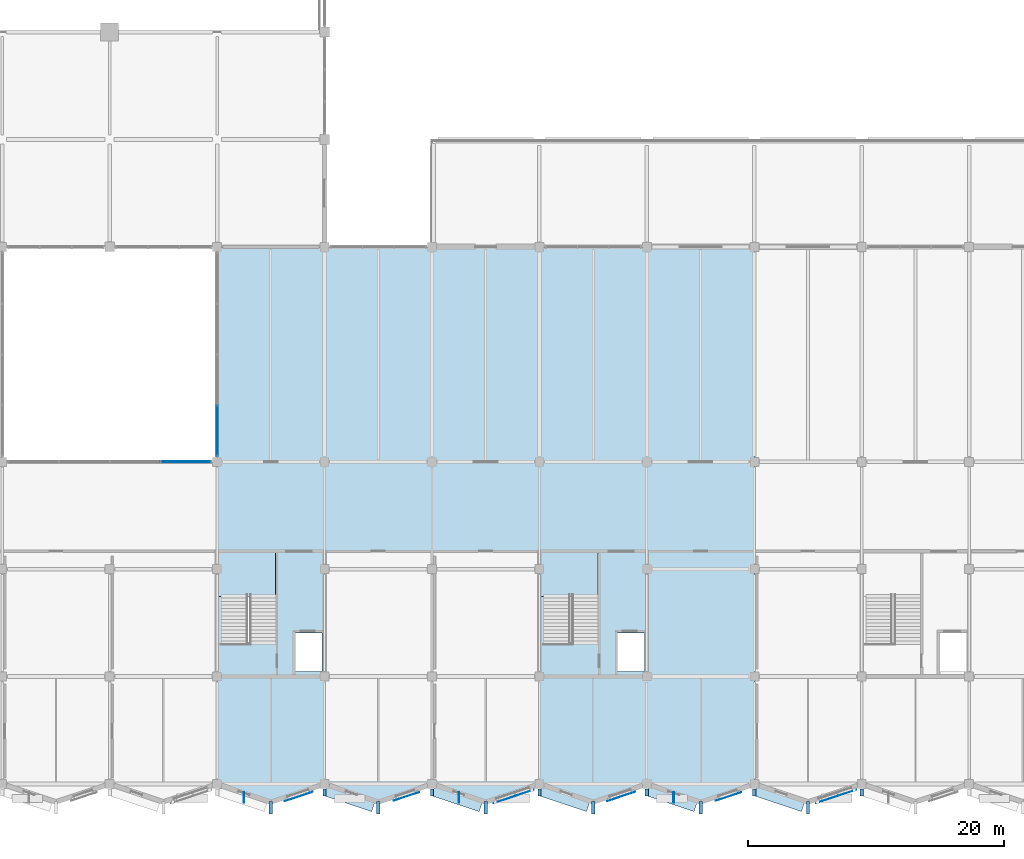
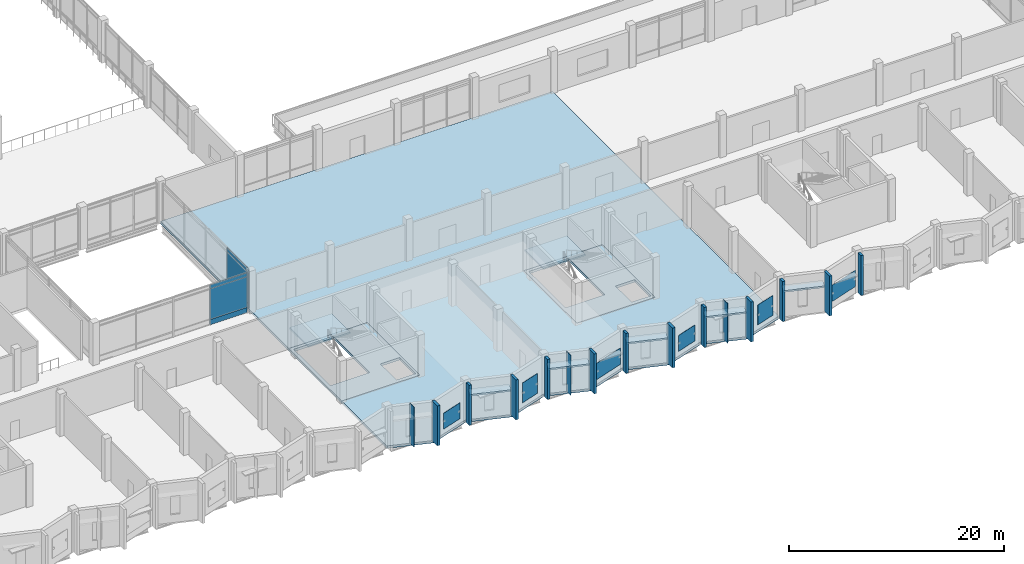
# One storey, part 71 of 110: 32 plates, 5 slabs, 4 elements without a shape of their own.
"""IFC4 building model written with IfcOpenShell, lengths in metres."""

from ifc_helpers import new_model, si_unit, direction, frame, frame_2d, origin, place, context, subcontext, project, spatial, polyline, rectangle, outline, extrude, material, layer, layer_set, type_object, element, aggregate, save


model = new_model("IFC4")

# Units and contexts
model_context = context("Model", 3, precision=1e-05, world=origin(), true_north=direction((0.0, 1.0)))
body_context = subcontext(model_context, "Body", "Model", "MODEL_VIEW")
ifc_project = project(units=[si_unit("LENGTHUNIT", "METRE"), si_unit("AREAUNIT", "SQUARE_METRE"), si_unit("VOLUMEUNIT", "CUBIC_METRE"), si_unit("PLANEANGLEUNIT", "RADIAN"), si_unit("MASSUNIT", "GRAM", prefix="KILO")], contexts=[model_context])

# Site, building, storey
site_placement = place(None, origin())
site = spatial("IfcSite", under=ifc_project, at=site_placement, CompositionType="ELEMENT")
building_placement = place(site_placement, origin())
building = spatial("IfcBuilding", under=site, at=building_placement, Name="Qawsi Khor Wholesale Market", CompositionType="ELEMENT")
storey_placement = place(building_placement, frame((0.0, 0.0, 11.39990234375)))
storey = spatial("IfcBuildingStorey", under=building, at=storey_placement, Name="L02", CompositionType="ELEMENT", Elevation=11.39990234375)

# Curtain wall, plate
ifc_material_1 = material(Name="Aluminium Anodised Bronze", Category="aluminium")
ifc_layer_1 = layer(ifc_material_1, 0.179931640625, Name="Aluminium Anodised Bronze")
ifc_layer_set_1 = layer_set([ifc_layer_1], Name="Aluminium Anodised Bronze")
curtain_wall_type = type_object("IfcCurtainWallType", Name="Atrium Full-Height Curtain Wall CW-02", PredefinedType="NOTDEFINED", material=ifc_layer_set_1)
curtain_wall_1_placement = place(storey_placement, origin())
curtain_wall_1 = element("IfcCurtainWall", 1, at=curtain_wall_1_placement, inside=storey, type_object=curtain_wall_type, Name="Curtain wall CW-CW-02-L02-021", PredefinedType="NOTDEFINED")
ifc_material_2 = material(Name="Anodised Aluminium Spandrel", Category="aluminium")
ifc_layer_2 = layer(ifc_material_2, 0.06494140625, Name="Anodised Aluminium Spandrel")
ifc_layer_set_2 = layer_set([ifc_layer_2], Name="Anodised Aluminium Spandrel")
plate_type_1 = type_object("IfcPlateType", Name="Insulated Spandrel Panel CW-02 65mm", PredefinedType="CURTAIN_PANEL", material=ifc_layer_set_2)
plate_1_placement = place(storey_placement, frame((62.777587890625, 25.199951171875, 0.005126953125), z_axis=(0.0, 0.0, 1.0), x_axis=(1.0, 0.0, 0.0)))
plate_1 = element("IfcPlate", 2, at=plate_1_placement, type_object=plate_type_1, Name="Curtain panel CW-CW-02-L02-021-P0_03", PredefinedType="CURTAIN_PANEL", context=body_context, shape_type="SweptSolid", body=[
    extrude(rectangle(XDim=3.977294921875, YDim=0.06494140625, at=frame_2d((1.98876953125, 0.0))), origin(), (0.0, 0.0, 1.0), 0.590087890625),
])

curtain_wall_2_placement = place(storey_placement, origin())
curtain_wall_2 = element("IfcCurtainWall", 3, at=curtain_wall_2_placement, inside=storey, type_object=curtain_wall_type, Name="Curtain wall CW-CW-02-L02-025", PredefinedType="NOTDEFINED")
plate_2_placement = place(storey_placement, frame((67.199951171875, 25.64501953125, 0.005126953125), z_axis=(0.0, 0.0, 1.0), x_axis=(0.0, 1.0, 0.0)))
plate_2 = element("IfcPlate", 4, at=plate_2_placement, type_object=plate_type_1, Name="Curtain panel CW-CW-02-L02-025-P0_00", PredefinedType="CURTAIN_PANEL", context=body_context, shape_type="SweptSolid", body=[
    extrude(rectangle(XDim=3.9775390625, YDim=0.06494140625, at=frame_2d((1.98876953125, 0.0))), origin(), (0.0, 0.0, 1.0), 0.590087890625),
])

# Plates
ifc_material_3 = material(Name="Perforated Bronze-Anodised Aluminium", Category="aluminium")
ifc_layer_3 = layer(ifc_material_3, 0.02001953125, Name="Perforated Bronze-Anodised Aluminium")
ifc_layer_set_3 = layer_set([ifc_layer_3], Name="Perforated Bronze-Anodised Aluminium")
plate_type_2 = type_object("IfcPlateType", Name="Perforated Bronze Mashrabiya Screen 20mm", PredefinedType="SHEET", material=ifc_layer_set_3)
plate_3_placement = place(storey_placement, frame((74.691162109375, -0.603515625, 0.85009765625), z_axis=(0.0, 0.0, 1.0), x_axis=(-0.948714864533, -0.31613305081, 0.0)))
element("IfcPlate", 5, at=plate_3_placement, inside=storey, type_object=plate_type_2, Name="Solar mashrabiya screen 026", PredefinedType="SHEET", context=body_context, shape_type="SweptSolid", body=[
    extrude(rectangle(XDim=2.31982421875, YDim=0.02001953125, at=frame_2d((1.159912109375, 0.0))), origin(), (0.0, 0.0, 1.0), 1.800048828125),
])
plate_4_placement = place(storey_placement, frame((82.98681640625, -0.63818359375, 0.85009765625), z_axis=(0.0, 0.0, 1.0), x_axis=(-0.948694922148, -0.316192891587, 0.0)))
element("IfcPlate", 6, at=plate_4_placement, inside=storey, type_object=plate_type_2, Name="Solar mashrabiya screen 027", PredefinedType="SHEET", context=body_context, shape_type="SweptSolid", body=[
    extrude(rectangle(XDim=2.10009765625, YDim=0.02001953125, at=frame_2d((1.050048828125, 0.0))), origin(), (0.0, 0.0, 1.0), 2.25),
])
plate_5_placement = place(storey_placement, frame((91.9560546875, -0.448486328125, 0.85009765625), z_axis=(0.0, 0.0, 1.0), x_axis=(-0.948698092678, -0.316183378673, 0.0)))
element("IfcPlate", 7, at=plate_5_placement, inside=storey, type_object=plate_type_2, Name="Solar mashrabiya screen 028", PredefinedType="SHEET", context=body_context, shape_type="SweptSolid", body=[
    extrude(rectangle(XDim=3.300048828125, YDim=0.02001953125, at=frame_2d((1.64990234375, 0.0))), origin(), (0.0, 0.0, 1.0), 1.85009765625),
])
plate_6_placement = place(storey_placement, frame((99.89111328125, -0.603515625, 0.85009765625), z_axis=(0.0, 0.0, 1.0), x_axis=(-0.948714864533, -0.31613305081, 0.0)))
element("IfcPlate", 8, at=plate_6_placement, inside=storey, type_object=plate_type_2, Name="Solar mashrabiya screen 029", PredefinedType="SHEET", context=body_context, shape_type="SweptSolid", body=[
    extrude(rectangle(XDim=2.31982421875, YDim=0.02001953125, at=frame_2d((1.159912109375, 0.0))), origin(), (0.0, 0.0, 1.0), 1.800048828125),
])
plate_7_placement = place(storey_placement, frame((108.186767578125, -0.63818359375, 0.85009765625), z_axis=(0.0, 0.0, 1.0), x_axis=(-0.948683298051, -0.316227766017, 0.0)))
element("IfcPlate", 9, at=plate_7_placement, inside=storey, type_object=plate_type_2, Name="Solar mashrabiya screen 030", PredefinedType="SHEET", context=body_context, shape_type="SweptSolid", body=[
    extrude(rectangle(XDim=2.099853515625, YDim=0.02001953125, at=frame_2d((1.0498046875, 0.0))), origin(), (0.0, 0.0, 1.0), 2.25),
])
plate_8_placement = place(storey_placement, frame((117.156005859375, -0.448486328125, 0.85009765625), z_axis=(0.0, 0.0, 1.0), x_axis=(-0.948690696143, -0.316205570874, 0.0)))
element("IfcPlate", 10, at=plate_8_placement, inside=storey, type_object=plate_type_2, Name="Solar mashrabiya screen 031", PredefinedType="SHEET", context=body_context, shape_type="SweptSolid", body=[
    extrude(rectangle(XDim=3.300048828125, YDim=0.02001953125, at=frame_2d((1.64990234375, 0.0))), origin(), (0.0, 0.0, 1.0), 1.85009765625),
])
ifc_material_4 = material(Name="Concrete C40/50", Category="concrete")
ifc_layer_4 = layer(ifc_material_4, 0.260009765625, Name="Concrete C40/50")
ifc_layer_set_4 = layer_set([ifc_layer_4], Name="Concrete C40/50")
plate_type_3 = type_object("IfcPlateType", Name="Sculpted Concrete Solar Buttress Fin 260", PredefinedType="SHEET", material=ifc_layer_set_4)
plate_9_placement = place(storey_placement, frame((71.39990234375, -2.35009765625, 0.0), z_axis=(0.0, 0.0, 1.0), x_axis=(0.0, 1.0, 0.0)))
element("IfcPlate", 11, at=plate_9_placement, inside=storey, type_object=plate_type_3, Name="Boulevard concrete solar buttress fin L02-11", PredefinedType="SHEET", context=body_context, shape_type="SweptSolid", body=[
    extrude(rectangle(XDim=1.0, YDim=0.260009765625, at=frame_2d((0.5, 0.0))), origin(), (0.0, 0.0, 1.0), 4.52001953125),
])
plate_10_placement = place(storey_placement, frame((75.60009765625, -0.949951171875, 0.0), z_axis=(0.0, 0.0, 1.0), x_axis=(0.0, 1.0, 0.0)))
element("IfcPlate", 12, at=plate_10_placement, inside=storey, type_object=plate_type_3, Name="Boulevard concrete solar buttress fin L02-12", PredefinedType="SHEET", context=body_context, shape_type="SweptSolid", body=[
    extrude(rectangle(XDim=0.570068359375, YDim=0.260009765625, at=frame_2d((0.28515625, 0.0))), origin(), (0.0, 0.0, 1.0), 4.52001953125),
])
plate_11_placement = place(storey_placement, frame((79.800048828125, -2.35009765625, 0.0), z_axis=(0.0, 0.0, 1.0), x_axis=(0.0, 1.0, 0.0)))
element("IfcPlate", 13, at=plate_11_placement, inside=storey, type_object=plate_type_3, Name="Boulevard concrete solar buttress fin L02-13", PredefinedType="SHEET", context=body_context, shape_type="SweptSolid", body=[
    extrude(rectangle(XDim=1.0, YDim=0.260009765625, at=frame_2d((0.5, 0.0))), origin(), (0.0, 0.0, 1.0), 4.52001953125),
])
plate_12_placement = place(storey_placement, frame((84.0, -0.949951171875, 0.0), z_axis=(0.0, 0.0, 1.0), x_axis=(0.0, 1.0, 0.0)))
element("IfcPlate", 14, at=plate_12_placement, inside=storey, type_object=plate_type_3, Name="Boulevard concrete solar buttress fin L02-14", PredefinedType="SHEET", context=body_context, shape_type="SweptSolid", body=[
    extrude(rectangle(XDim=0.570068359375, YDim=0.260009765625, at=frame_2d((0.28515625, 0.0))), origin(), (0.0, 0.0, 1.0), 4.52001953125),
])
plate_13_placement = place(storey_placement, frame((88.199951171875, -2.35009765625, 0.0), z_axis=(0.0, 0.0, 1.0), x_axis=(0.0, 1.0, 0.0)))
element("IfcPlate", 15, at=plate_13_placement, inside=storey, type_object=plate_type_3, Name="Boulevard concrete solar buttress fin L02-15", PredefinedType="SHEET", context=body_context, shape_type="SweptSolid", body=[
    extrude(rectangle(XDim=1.0, YDim=0.260009765625, at=frame_2d((0.5, 0.0))), origin(), (0.0, 0.0, 1.0), 4.52001953125),
])
plate_14_placement = place(storey_placement, frame((92.39990234375, -0.949951171875, 0.0), z_axis=(0.0, 0.0, 1.0), x_axis=(0.0, 1.0, 0.0)))
element("IfcPlate", 16, at=plate_14_placement, inside=storey, type_object=plate_type_3, Name="Boulevard concrete solar buttress fin L02-16", PredefinedType="SHEET", context=body_context, shape_type="SweptSolid", body=[
    extrude(rectangle(XDim=0.570068359375, YDim=0.260009765625, at=frame_2d((0.28515625, 0.0))), origin(), (0.0, 0.0, 1.0), 4.52001953125),
])
plate_15_placement = place(storey_placement, frame((96.60009765625, -2.35009765625, 0.0), z_axis=(0.0, 0.0, 1.0), x_axis=(0.0, 1.0, 0.0)))
element("IfcPlate", 17, at=plate_15_placement, inside=storey, type_object=plate_type_3, Name="Boulevard concrete solar buttress fin L02-17", PredefinedType="SHEET", context=body_context, shape_type="SweptSolid", body=[
    extrude(rectangle(XDim=1.0, YDim=0.260009765625, at=frame_2d((0.5, 0.0))), origin(), (0.0, 0.0, 1.0), 4.52001953125),
])
plate_16_placement = place(storey_placement, frame((100.800048828125, -0.949951171875, 0.0), z_axis=(0.0, 0.0, 1.0), x_axis=(0.0, 1.0, 0.0)))
element("IfcPlate", 18, at=plate_16_placement, inside=storey, type_object=plate_type_3, Name="Boulevard concrete solar buttress fin L02-18", PredefinedType="SHEET", context=body_context, shape_type="SweptSolid", body=[
    extrude(rectangle(XDim=0.570068359375, YDim=0.260009765625, at=frame_2d((0.28515625, 0.0))), origin(), (0.0, 0.0, 1.0), 4.52001953125),
])
plate_17_placement = place(storey_placement, frame((105.0, -2.35009765625, 0.0), z_axis=(0.0, 0.0, 1.0), x_axis=(0.0, 1.0, 0.0)))
element("IfcPlate", 19, at=plate_17_placement, inside=storey, type_object=plate_type_3, Name="Boulevard concrete solar buttress fin L02-19", PredefinedType="SHEET", context=body_context, shape_type="SweptSolid", body=[
    extrude(rectangle(XDim=1.0, YDim=0.260009765625, at=frame_2d((0.5, 0.0))), origin(), (0.0, 0.0, 1.0), 4.52001953125),
])
plate_18_placement = place(storey_placement, frame((109.199951171875, -0.949951171875, 0.0), z_axis=(0.0, 0.0, 1.0), x_axis=(0.0, 1.0, 0.0)))
element("IfcPlate", 20, at=plate_18_placement, inside=storey, type_object=plate_type_3, Name="Boulevard concrete solar buttress fin L02-20", PredefinedType="SHEET", context=body_context, shape_type="SweptSolid", body=[
    extrude(rectangle(XDim=0.570068359375, YDim=0.260009765625, at=frame_2d((0.28515625, 0.0))), origin(), (0.0, 0.0, 1.0), 4.52001953125),
])
plate_19_placement = place(storey_placement, frame((113.39990234375, -2.35009765625, 0.0), z_axis=(0.0, 0.0, 1.0), x_axis=(0.0, 1.0, 0.0)))
element("IfcPlate", 21, at=plate_19_placement, inside=storey, type_object=plate_type_3, Name="Boulevard concrete solar buttress fin L02-21", PredefinedType="SHEET", context=body_context, shape_type="SweptSolid", body=[
    extrude(rectangle(XDim=1.0, YDim=0.260009765625, at=frame_2d((0.5, 0.0))), origin(), (0.0, 0.0, 1.0), 4.52001953125),
])
plate_20_placement = place(storey_placement, frame((117.60009765625, -0.949951171875, 0.0), z_axis=(0.0, 0.0, 1.0), x_axis=(0.0, 1.0, 0.0)))
element("IfcPlate", 22, at=plate_20_placement, inside=storey, type_object=plate_type_3, Name="Boulevard concrete solar buttress fin L02-22", PredefinedType="SHEET", context=body_context, shape_type="SweptSolid", body=[
    extrude(rectangle(XDim=0.570068359375, YDim=0.260009765625, at=frame_2d((0.28515625, 0.0))), origin(), (0.0, 0.0, 1.0), 4.52001953125),
])
ifc_layer_5 = layer(ifc_material_4, 0.949951171875, Name="Concrete C40/50")
ifc_layer_set_5 = layer_set([ifc_layer_5], Name="Concrete C40/50")
plate_type_4 = type_object("IfcPlateType", Name="Sculpted Concrete Sun-Hood Canopy 950", PredefinedType="SHEET", material=ifc_layer_set_5)
for number, where, z_axis, x_axis, name in (
    (23, (75.710693359375, -0.45849609375, 3.25), (0.0, 0.0, 1.0), (0.94867708111, -0.316246416226, 0.0), "Sculpted concrete sun-hood L02-13"),
    (24, (84.110595703125, -0.45849609375, 3.25), (0.0, 0.0, 1.0), (0.94867708111, -0.316246416226, 0.0), "Sculpted concrete sun-hood L02-15"),
    (25, (92.5107421875, -0.45849609375, 3.25), (0.0, 0.0, 1.0), (0.94867708111, -0.316246416226, 0.0), "Sculpted concrete sun-hood L02-17"),
    (26, (100.91064453125, -0.45849609375, 3.25), (0.0, 0.0, 1.0), (0.94867708111, -0.316246416226, 0.0), "Sculpted concrete sun-hood L02-19"),
    (27, (109.310791015625, -0.45849609375, 3.25), (0.0, 0.0, 1.0), (0.94867708111, -0.316246416226, 0.0), "Sculpted concrete sun-hood L02-21"),
):
    element("IfcPlate", number, at=place(storey_placement, frame(where, z_axis=z_axis, x_axis=x_axis)), inside=storey, type_object=plate_type_4, Name=name, PredefinedType="SHEET", context=body_context, shape_type="SweptSolid", body=[
        extrude(rectangle(XDim=3.92724609375, YDim=0.949951171875, at=frame_2d((1.963623046875, 0.0))), origin(), (0.0, 0.0, 1.0), 0.190185546875),
    ])

# Plate
ifc_material_5 = material(Name="Tempered Low-E Solar Glass", Category="glass")
ifc_layer_6 = layer(ifc_material_5, 0.031982421875, Name="Tempered Low-E Solar Glass")
ifc_layer_set_6 = layer_set([ifc_layer_6], Name="Tempered Low-E Solar Glass")
plate_type_5 = type_object("IfcPlateType", Name="Solar Double-Glazed Unit CW-02 32mm", PredefinedType="CURTAIN_PANEL", material=ifc_layer_set_6)
plate_21_placement = place(storey_placement, frame((62.777587890625, 25.199951171875, 0.60498046875), z_axis=(0.0, 0.0, 1.0), x_axis=(1.0, 0.0, 0.0)))
plate_21 = element("IfcPlate", 28, at=plate_21_placement, type_object=plate_type_5, Name="Curtain panel CW-CW-02-L02-021-P1_03", PredefinedType="CURTAIN_PANEL", context=body_context, shape_type="SweptSolid", body=[
    extrude(rectangle(XDim=3.977294921875, YDim=0.031982421875, at=frame_2d((1.98876953125, 0.0))), origin(), (0.0, 0.0, 1.0), 3.460205078125),
])

plate_22_placement = place(storey_placement, frame((62.777587890625, 25.199951171875, 4.0751953125), z_axis=(0.0, 0.0, 1.0), x_axis=(1.0, 0.0, 0.0)))
plate_22 = element("IfcPlate", 29, at=plate_22_placement, type_object=plate_type_5, Name="Curtain panel CW-CW-02-L02-021-P2_03", PredefinedType="CURTAIN_PANEL", context=body_context, shape_type="SweptSolid", body=[
    extrude(rectangle(XDim=3.977294921875, YDim=0.031982421875, at=frame_2d((1.98876953125, 0.0))), origin(), (0.0, 0.0, 1.0), 0.43994140625),
])

aggregate(curtain_wall_1, [plate_1, plate_21, plate_22])

plate_23_placement = place(storey_placement, frame((67.199951171875, 25.64501953125, 0.60498046875), z_axis=(0.0, 0.0, 1.0), x_axis=(0.0, 1.0, 0.0)))
plate_23 = element("IfcPlate", 30, at=plate_23_placement, type_object=plate_type_5, Name="Curtain panel CW-CW-02-L02-025-P1_00", PredefinedType="CURTAIN_PANEL", context=body_context, shape_type="SweptSolid", body=[
    extrude(rectangle(XDim=3.9775390625, YDim=0.031982421875, at=frame_2d((1.98876953125, 0.0))), origin(), (0.0, 0.0, 1.0), 3.460205078125),
])

plate_24_placement = place(storey_placement, frame((67.199951171875, 25.64501953125, 4.0751953125), z_axis=(0.0, 0.0, 1.0), x_axis=(0.0, 1.0, 0.0)))
plate_24 = element("IfcPlate", 31, at=plate_24_placement, type_object=plate_type_5, Name="Curtain panel CW-CW-02-L02-025-P2_00", PredefinedType="CURTAIN_PANEL", context=body_context, shape_type="SweptSolid", body=[
    extrude(rectangle(XDim=3.9775390625, YDim=0.031982421875, at=frame_2d((1.98876953125, 0.0))), origin(), (0.0, 0.0, 1.0), 0.43994140625),
])

aggregate(curtain_wall_2, [plate_2, plate_23, plate_24])

# Stair, slab
stair_type = type_object("IfcStairType", Name="Exit Stair L02-L03 4800 Rise", PredefinedType="HALF_TURN_STAIR", material=ifc_material_4)
stair_1_placement = place(storey_placement, origin())
stair_1 = element("IfcStair", 32, at=stair_1_placement, inside=storey, type_object=stair_type, Name="Stair ST-02 L02", PredefinedType="HALF_TURN_STAIR")
ifc_layer_7 = layer(ifc_material_4, 0.179931640625, Name="Concrete C40/50")
ifc_layer_set_7 = layer_set([ifc_layer_7], Name="Concrete C40/50")
slab_type_1 = type_object("IfcSlabType", Name="Stair Half-Landing Slab 180 C40/50", PredefinedType="LANDING", material=ifc_layer_set_7)
slab_1_placement = place(storey_placement, frame((0.0, 0.0, 2.22021484375)))
slab_1 = element("IfcSlab", 33, at=slab_1_placement, type_object=slab_type_1, Name="ST-02-L02 landing 1", PredefinedType="LANDING", context=body_context, shape_type="SweptSolid", body=[
    extrude(outline(polyline([(67.25, 14.679931640625), (71.780029296875, 14.679931640625), (71.780029296875, 18.14990234375), (67.25, 18.14990234375), (67.25, 14.679931640625)])), origin(), (0.0, 0.0, 1.0), 0.179931640625),
])
aggregate(stair_1, [slab_1])

stair_2_placement = place(storey_placement, origin())
stair_2 = element("IfcStair", 34, at=stair_2_placement, inside=storey, type_object=stair_type, Name="Stair ST-03 L02", PredefinedType="HALF_TURN_STAIR")
slab_2_placement = place(storey_placement, frame((0.0, 0.0, 2.22021484375)))
slab_2 = element("IfcSlab", 35, at=slab_2_placement, type_object=slab_type_1, Name="ST-03-L02 landing 1", PredefinedType="LANDING", context=body_context, shape_type="SweptSolid", body=[
    extrude(outline(polyline([(92.449951171875, 14.679931640625), (96.97998046875, 14.679931640625), (96.97998046875, 18.14990234375), (92.449951171875, 18.14990234375), (92.449951171875, 14.679931640625)])), origin(), (0.0, 0.0, 1.0), 0.179931640625),
])
aggregate(stair_2, [slab_2])

# Slabs
ifc_layer_8 = layer(ifc_material_4, 0.280029296875, Name="Concrete C40/50")
ifc_layer_set_8 = layer_set([ifc_layer_8], Name="Concrete C40/50")
slab_type_2 = type_object("IfcSlabType", Name="Suspended Floor Slab 280 C40/50", PredefinedType="FLOOR", material=ifc_layer_set_8)
slab_3_placement = place(storey_placement, frame((0.0, 0.0, -0.27978515625)))
element("IfcSlab", 36, at=slab_3_placement, inside=storey, type_object=slab_type_2, Name="Core floor slab L02 C02", PredefinedType="FLOOR", context=body_context, shape_type="SweptSolid", body=[
    extrude(outline(polyline([(67.199951171875, 18.199951171875), (75.60009765625, 18.199951171875), (75.60009765625, 8.39990234375), (67.199951171875, 8.39990234375), (67.199951171875, 18.199951171875)]), holes=[polyline([(73.320068359375, 8.800048828125), (75.39990234375, 8.800048828125), (75.39990234375, 11.800048828125), (73.320068359375, 11.800048828125), (73.320068359375, 8.800048828125)]), polyline([(67.5400390625, 11.080078125), (71.780029296875, 11.080078125), (71.780029296875, 17.860107421875), (67.5400390625, 17.860107421875), (67.5400390625, 11.080078125)])]), origin(), (0.0, 0.0, 1.0), 0.27978515625),
])
slab_4_placement = place(storey_placement, frame((0.0, 0.0, -0.27978515625)))
element("IfcSlab", 37, at=slab_4_placement, inside=storey, type_object=slab_type_2, Name="Core floor slab L02 C03", PredefinedType="FLOOR", context=body_context, shape_type="SweptSolid", body=[
    extrude(outline(polyline([(92.39990234375, 18.199951171875), (100.800048828125, 18.199951171875), (100.800048828125, 8.39990234375), (92.39990234375, 8.39990234375), (92.39990234375, 18.199951171875)]), holes=[polyline([(98.52001953125, 8.800048828125), (100.60009765625, 8.800048828125), (100.60009765625, 11.800048828125), (98.52001953125, 11.800048828125), (98.52001953125, 8.800048828125)]), polyline([(92.739990234375, 11.080078125), (96.97998046875, 11.080078125), (96.97998046875, 17.860107421875), (92.739990234375, 17.860107421875), (92.739990234375, 11.080078125)])]), origin(), (0.0, 0.0, 1.0), 0.27978515625),
])
slab_5_placement = place(storey_placement, frame((0.0, 0.0, -0.27978515625)))
element("IfcSlab", 38, at=slab_5_placement, inside=storey, type_object=slab_type_2, Name="SLB-L02-SWING-2", PredefinedType="FLOOR", context=body_context, shape_type="SweptSolid", body=[
    extrude(outline(polyline([(67.199951171875, 8.39990234375), (75.60009765625, 8.39990234375), (75.60009765625, 18.199951171875), (67.199951171875, 18.199951171875), (67.199951171875, 42.0), (109.199951171875, 42.0), (109.199951171875, 0.0), (105.0, -1.39990234375), (100.800048828125, 0.0), (96.60009765625, -1.39990234375), (92.39990234375, 0.0), (88.199951171875, -1.39990234375), (84.0, 0.0), (79.800048828125, -1.39990234375), (75.60009765625, 0.0), (71.39990234375, -1.39990234375), (67.199951171875, 0.0), (67.199951171875, 8.39990234375)]), holes=[polyline([(100.800048828125, 18.199951171875), (92.39990234375, 18.199951171875), (92.39990234375, 8.39990234375), (100.800048828125, 8.39990234375), (100.800048828125, 18.199951171875)])]), origin(), (0.0, 0.0, 1.0), 0.27978515625),
])

# Plates
ifc_layer_9 = layer(ifc_material_3, 0.044921875, Name="Perforated Bronze-Anodised Aluminium")
ifc_layer_set_9 = layer_set([ifc_layer_9], Name="Perforated Bronze-Anodised Aluminium")
plate_type_6 = type_object("IfcPlateType", Name="Vertical Sculpted Sun-Fin Plate 45mm", PredefinedType="SHEET", material=ifc_layer_set_9)
for number, where, z_axis, x_axis, name in (
    (39, (69.300048828125, -1.449951171875, 0.0), (0.0, 0.0, 1.0), (0.0, 1.0, 0.0), "Sculpted vertical sun-fin L02-10"),
    (40, (86.10009765625, -1.449951171875, 0.0), (0.0, 0.0, 1.0), (0.0, 1.0, 0.0), "Sculpted vertical sun-fin L02-14"),
    (41, (102.89990234375, -1.449951171875, 0.0), (0.0, 0.0, 1.0), (0.0, 1.0, 0.0), "Sculpted vertical sun-fin L02-18"),
):
    element("IfcPlate", number, at=place(storey_placement, frame(where, z_axis=z_axis, x_axis=x_axis)), inside=storey, type_object=plate_type_6, Name=name, PredefinedType="SHEET", context=body_context, shape_type="SweptSolid", body=[
        extrude(rectangle(XDim=0.800048828125, YDim=0.044921875, at=frame_2d((0.39990234375, 0.0))), origin(), (0.0, 0.0, 1.0), 4.52001953125),
    ])

save(model, "model.ifc")
